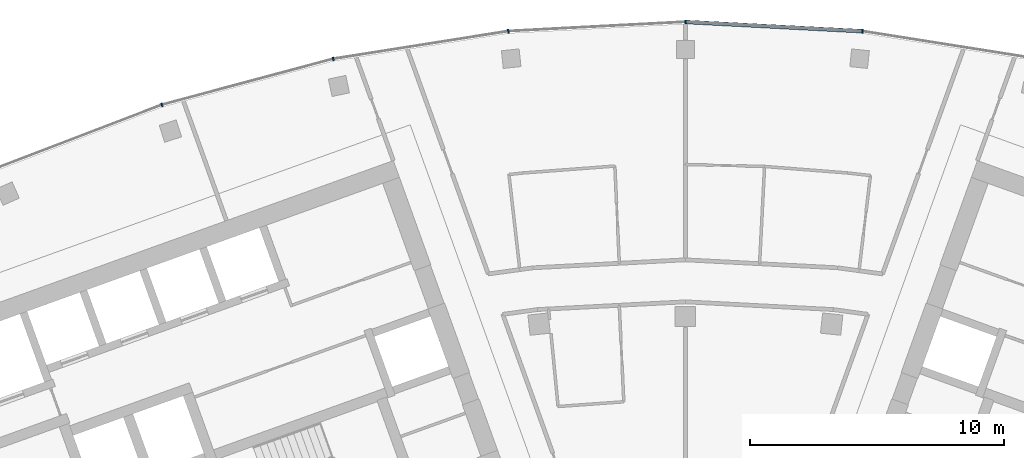
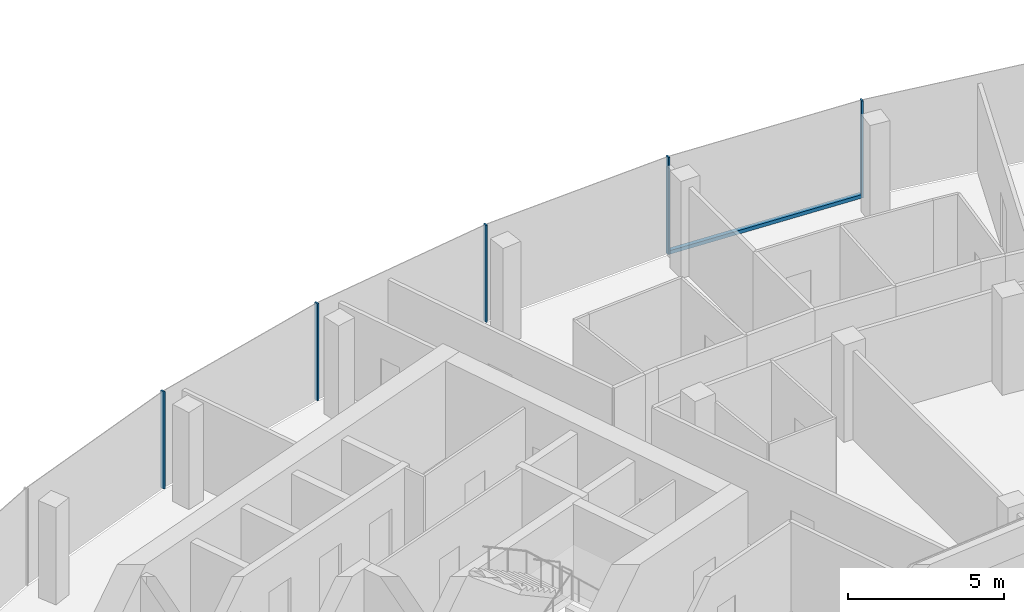
# One storey, part 6 of 18: 6 members, 1 element without a shape of its own.
"""IFC4 building model written with IfcOpenShell, lengths in metres."""

from ifc_helpers import new_model, si_unit, direction, frame, origin, origin_2d, place, context, subcontext, project, spatial, rectangle, extrude, material, layer, layer_set, material_profile, profile_set, type_object, element, aggregate, save


model = new_model("IFC4")

# Units and contexts
model_context = context("Model", 3, precision=1e-05, world=origin(), true_north=direction((0.0, 1.0)))
body_context = subcontext(model_context, "Body", "Model", "MODEL_VIEW")
ifc_project = project(units=[si_unit("LENGTHUNIT", "METRE"), si_unit("AREAUNIT", "SQUARE_METRE"), si_unit("VOLUMEUNIT", "CUBIC_METRE"), si_unit("PLANEANGLEUNIT", "RADIAN"), si_unit("MASSUNIT", "GRAM", prefix="KILO")], contexts=[model_context])

# Site, building, storey
site_placement = place(None, origin())
site = spatial("IfcSite", under=ifc_project, at=site_placement, CompositionType="ELEMENT")
building_placement = place(site_placement, origin())
building = spatial("IfcBuilding", under=site, at=building_placement, Name="Stone Belt Terrace Tower", CompositionType="ELEMENT")
storey_placement = place(building_placement, frame((0.0, 0.0, 288.39990234375)))
storey = spatial("IfcBuildingStorey", under=building, at=storey_placement, Name="L70", CompositionType="ELEMENT", Elevation=288.39990234375)

# Curtain wall, members
ifc_material = material(Name="Aluminium 6063-T6 anodised frame", Category="aluminium")
ifc_layer = layer(ifc_material, 0.14990234375)
ifc_layer_set = layer_set([ifc_layer], Name="CW-A unitised convex-face curtain wall")
curtain_wall_type = type_object("IfcCurtainWallType", Name="CW-A unitised convex-face curtain wall", PredefinedType="NOTDEFINED", material=ifc_layer_set)
curtain_wall_placement = place(storey_placement, origin())
curtain_wall = element("IfcCurtainWall", 1, at=curtain_wall_placement, inside=storey, type_object=curtain_wall_type, Name="CW-A convex face L70", PredefinedType="NOTDEFINED")
ifc_material_profile_1 = material_profile(ifc_material, rectangle(XDim=0.14990234375, YDim=0.06005859375, at=origin_2d()), Name="Aluminium 6063-T6 60x150")
ifc_profile_set_1 = profile_set([ifc_material_profile_1], Name="Aluminium 6063-T6 anodised frame")
member_type_1 = type_object("IfcMemberType", Name="CW-A mullion 60 x 150", PredefinedType="MULLION", material=ifc_profile_set_1)
member_1_placement = place(storey_placement, frame((6.958984375, 66.21044921875, 0.0), z_axis=(0.0, 0.0, 1.0), x_axis=(-0.104528463268, -0.994521895368, 0.0)))
member_1 = element("IfcMember", 2, at=member_1_placement, type_object=member_type_1, Name="CW-A mullion 7", PredefinedType="MULLION", context=body_context, shape_type="SweptSolid", body=[
    extrude(rectangle(XDim=0.14990234375, YDim=0.06005859375, at=origin_2d()), origin(), (0.0, 0.0, 1.0), 3.800048828125),
])
member_2_placement = place(storey_placement, frame((0.0, 66.5751953125, 0.0), z_axis=(0.0, 0.0, 1.0), x_axis=(0.0, -1.0, 0.0)))
member_2 = element("IfcMember", 3, at=member_2_placement, type_object=member_type_1, Name="CW-A mullion 8", PredefinedType="MULLION", context=body_context, shape_type="SweptSolid", body=[
    extrude(rectangle(XDim=0.14990234375, YDim=0.06005859375, at=origin_2d()), origin(), (0.0, 0.0, 1.0), 3.800048828125),
])
member_3_placement = place(storey_placement, frame((-6.958984375, 66.21044921875, 0.0), z_axis=(0.0, 0.0, 1.0), x_axis=(0.104528463268, -0.994521895368, 0.0)))
member_3 = element("IfcMember", 4, at=member_3_placement, type_object=member_type_1, Name="CW-A mullion 9", PredefinedType="MULLION", context=body_context, shape_type="SweptSolid", body=[
    extrude(rectangle(XDim=0.14990234375, YDim=0.06005859375, at=origin_2d()), origin(), (0.0, 0.0, 1.0), 3.800048828125),
])
member_4_placement = place(storey_placement, frame((-13.841796875, 65.120361328125, 0.0), z_axis=(0.0, 0.0, 1.0), x_axis=(0.207911690818, -0.978147600734, 0.0)))
member_4 = element("IfcMember", 5, at=member_4_placement, type_object=member_type_1, Name="CW-A mullion 10", PredefinedType="MULLION", context=body_context, shape_type="SweptSolid", body=[
    extrude(rectangle(XDim=0.14990234375, YDim=0.06005859375, at=origin_2d()), origin(), (0.0, 0.0, 1.0), 3.800048828125),
])
member_5_placement = place(storey_placement, frame((-20.57275390625, 63.316650390625, 0.0), z_axis=(0.0, 0.0, 1.0), x_axis=(0.309016994375, -0.951056516295, 0.0)))
member_5 = element("IfcMember", 6, at=member_5_placement, type_object=member_type_1, Name="CW-A mullion 11", PredefinedType="MULLION", context=body_context, shape_type="SweptSolid", body=[
    extrude(rectangle(XDim=0.14990234375, YDim=0.06005859375, at=origin_2d()), origin(), (0.0, 0.0, 1.0), 3.800048828125),
])
ifc_material_profile_2 = material_profile(ifc_material, rectangle(XDim=0.14990234375, YDim=0.139892578125, at=origin_2d()), Name="Aluminium 6063-T6 150x140")
ifc_profile_set_2 = profile_set([ifc_material_profile_2], Name="Aluminium 6063-T6 anodised frame")
member_type_2 = type_object("IfcMemberType", Name="CW-A transom 140 x 150", PredefinedType="USERDEFINED", material=ifc_profile_set_2)
member_6_placement = place(storey_placement, frame((6.925048828125, 66.212158203125, 0.070068359375), z_axis=(-0.998630019135, 0.052326712899, 0.0), x_axis=(-0.052326712899, -0.998630019135, 0.0)))
member_6 = element("IfcMember", 7, at=member_6_placement, type_object=member_type_2, Name="CW-A transom 7.1", ObjectType="TRANSOM", PredefinedType="USERDEFINED", context=body_context, shape_type="SweptSolid", body=[
    extrude(rectangle(XDim=0.14990234375, YDim=0.139892578125, at=origin_2d()), origin(), (0.0, 0.0, 1.0), 6.900634765625),
])
aggregate(curtain_wall, [member_1, member_2, member_3, member_4, member_5, member_6])

save(model, "model.ifc")
